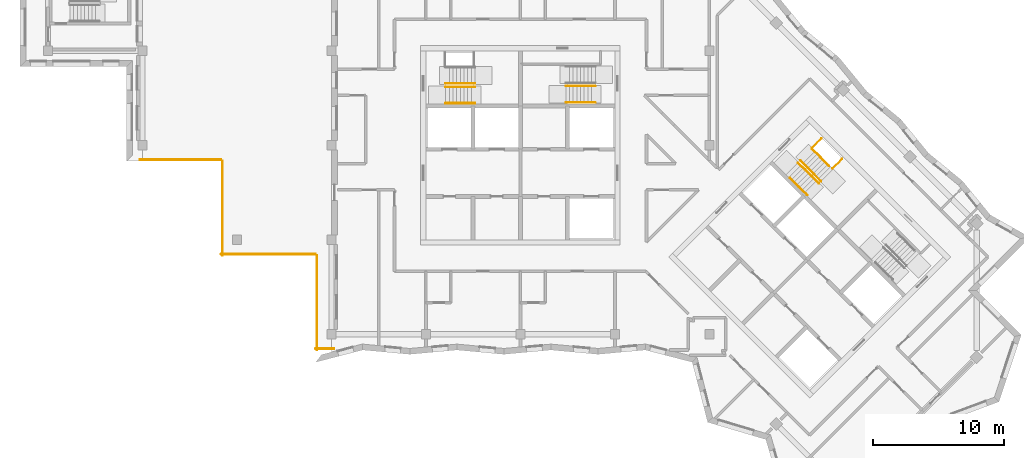
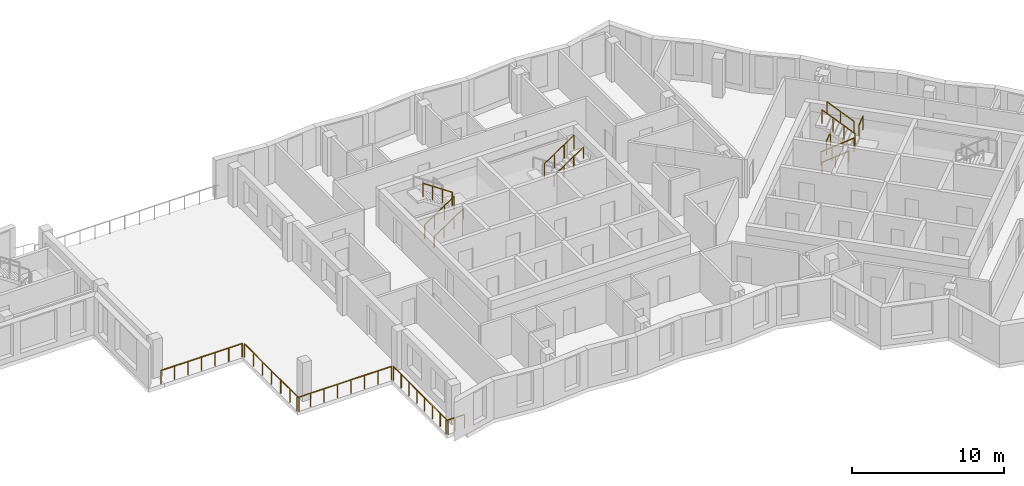
# One storey, part 9 of 12: 16 railings.
"""IFC4 building model written with IfcOpenShell, lengths in metres."""

from ifc_helpers import new_model, si_unit, direction, frame, origin, origin_2d, place, context, subcontext, project, spatial, circle, extrude, material, type_object, element, save


model = new_model("IFC4")

# Units and contexts
model_context = context("Model", 3, precision=1e-05, world=origin(), true_north=direction((0.0, 1.0)))
body_context = subcontext(model_context, "Body", "Model", "MODEL_VIEW")
ifc_project = project(units=[si_unit("LENGTHUNIT", "METRE"), si_unit("AREAUNIT", "SQUARE_METRE"), si_unit("VOLUMEUNIT", "CUBIC_METRE"), si_unit("PLANEANGLEUNIT", "RADIAN"), si_unit("MASSUNIT", "GRAM", prefix="KILO")], contexts=[model_context])

# Site, building, storey
site_placement = place(None, origin())
site = spatial("IfcSite", under=ifc_project, at=site_placement, CompositionType="ELEMENT")
building_placement = place(site_placement, origin())
building = spatial("IfcBuilding", under=site, at=building_placement, Name="Windrow Commons", CompositionType="ELEMENT")
storey_placement = place(building_placement, frame((0.0, 0.0, 247.2)))
storey = spatial("IfcBuildingStorey", under=building, at=storey_placement, Name="L67", CompositionType="ELEMENT", Elevation=247.2)

# Railings
ifc_material_1 = material(Name="Steel S355", Category="steel")
railing_type_1 = type_object("IfcRailingType", Name="Core stair guard 1100", PredefinedType="GUARDRAIL", material=ifc_material_1)
railing_1_placement = place(storey_placement, frame((59.1, 62.05, 0.1889)))
element("IfcRailing", 1, at=railing_1_placement, inside=storey, type_object=railing_type_1, Name="L67 ST-A1 stair guard 1", PredefinedType="GUARDRAIL", context=body_context, shape_type="SweptSolid", body=[
    extrude(circle(Radius=0.024, at=origin_2d()), frame((0.0, 0.0, 1.076), z_axis=(0.8290030985, 0.0, 0.5592440099), x_axis=(0.0, 1.0, 0.0)), (0.0, 0.0, 1.0), 2.702),
    extrude(circle(Radius=0.021, at=origin_2d()), origin(), (0.0, 0.0, 1.0), 1.052),
    extrude(circle(Radius=0.021, at=origin_2d()), frame((0.7467, 0.0, 0.5037)), (0.0, 0.0, 1.0), 1.052),
    extrude(circle(Radius=0.021, at=origin_2d()), frame((1.4933, 0.0, 1.0074)), (0.0, 0.0, 1.0), 1.052),
    extrude(circle(Radius=0.021, at=origin_2d()), frame((2.24, 0.0, 1.5111)), (0.0, 0.0, 1.0), 1.052),
])
railing_2_placement = place(storey_placement, frame((61.34, 62.3, 1.8889)))
element("IfcRailing", 2, at=railing_2_placement, inside=storey, type_object=railing_type_1, Name="L67 ST-A1 stair guard 2", PredefinedType="GUARDRAIL", context=body_context, shape_type="SweptSolid", body=[
    extrude(circle(Radius=0.024, at=origin_2d()), frame((0.0, 0.0, 1.076), z_axis=(-0.8290030985, 0.0, 0.5592440099), x_axis=(0.0, -1.0, 0.0)), (0.0, 0.0, 1.0), 2.702),
    extrude(circle(Radius=0.021, at=origin_2d()), origin(), (0.0, 0.0, 1.0), 1.052),
    extrude(circle(Radius=0.021, at=origin_2d()), frame((-0.7467, 0.0, 0.5037)), (0.0, 0.0, 1.0), 1.052),
    extrude(circle(Radius=0.021, at=origin_2d()), frame((-1.4933, 0.0, 1.0074)), (0.0, 0.0, 1.0), 1.052),
    extrude(circle(Radius=0.021, at=origin_2d()), frame((-2.24, 0.0, 1.5111)), (0.0, 0.0, 1.0), 1.052),
])
railing_3_placement = place(storey_placement, frame((68.26, 62.105, 1.8889)))
element("IfcRailing", 3, at=railing_3_placement, inside=storey, type_object=railing_type_1, Name="L67 ST-A2 stair guard 2", PredefinedType="GUARDRAIL", context=body_context, shape_type="SweptSolid", body=[
    extrude(circle(Radius=0.024, at=origin_2d()), frame((0.0, 0.0, 1.076), z_axis=(0.8290030985, 0.0, 0.5592440099), x_axis=(0.0, 1.0, 0.0)), (0.0, 0.0, 1.0), 2.702),
    extrude(circle(Radius=0.021, at=origin_2d()), origin(), (0.0, 0.0, 1.0), 1.052),
    extrude(circle(Radius=0.021, at=origin_2d()), frame((0.7467, 0.0, 0.5037)), (0.0, 0.0, 1.0), 1.052),
    extrude(circle(Radius=0.021, at=origin_2d()), frame((1.4933, 0.0, 1.0074)), (0.0, 0.0, 1.0), 1.052),
    extrude(circle(Radius=0.021, at=origin_2d()), frame((2.24, 0.0, 1.5111)), (0.0, 0.0, 1.0), 1.052),
])
railing_4_placement = place(storey_placement, frame((85.9529, 56.2669, 0.1889)))
element("IfcRailing", 4, at=railing_4_placement, inside=storey, type_object=railing_type_1, Name="L67 ST-B1 stair guard 1", PredefinedType="GUARDRAIL", context=body_context, shape_type="SweptSolid", body=[
    extrude(circle(Radius=0.024, at=origin_2d()), frame((0.0, 0.0, 1.076), z_axis=(0.5861914914, -0.5861914914, 0.5592486664), x_axis=(0.7071067812, 0.7071067812, 0.0)), (0.0, 0.0, 1.0), 2.702),
    extrude(circle(Radius=0.021, at=origin_2d()), origin(), (0.0, 0.0, 1.0), 1.052),
    extrude(circle(Radius=0.021, at=origin_2d()), frame((0.528, -0.528, 0.5037)), (0.0, 0.0, 1.0), 1.052),
    extrude(circle(Radius=0.021, at=origin_2d()), frame((1.0559, -1.0559, 1.0074)), (0.0, 0.0, 1.0), 1.052),
    extrude(circle(Radius=0.021, at=origin_2d()), frame((1.5839, -1.5839, 1.5111)), (0.0, 0.0, 1.0), 1.052),
])
railing_5_placement = place(storey_placement, frame((87.7136, 54.8597, 1.8889)))
element("IfcRailing", 5, at=railing_5_placement, inside=storey, type_object=railing_type_1, Name="L67 ST-B1 stair guard 2", PredefinedType="GUARDRAIL", context=body_context, shape_type="SweptSolid", body=[
    extrude(circle(Radius=0.024, at=origin_2d()), frame((0.0, 0.0, 1.076), z_axis=(-0.5862030657, 0.5862030657, 0.5592244018), x_axis=(-0.7071067812, -0.7071067812, 0.0)), (0.0, 0.0, 1.0), 2.7021),
    extrude(circle(Radius=0.021, at=origin_2d()), origin(), (0.0, 0.0, 1.0), 1.052),
    extrude(circle(Radius=0.021, at=origin_2d()), frame((-0.528, 0.528, 0.5037)), (0.0, 0.0, 1.0), 1.052),
    extrude(circle(Radius=0.021, at=origin_2d()), frame((-1.056, 1.056, 1.0074)), (0.0, 0.0, 1.0), 1.052),
    extrude(circle(Radius=0.021, at=origin_2d()), frame((-1.584, 1.584, 1.5111)), (0.0, 0.0, 1.0), 1.052),
])
railing_6_placement = place(storey_placement, frame((87.0135, 57.3982, 0.0)))
element("IfcRailing", 6, at=railing_6_placement, inside=storey, type_object=railing_type_1, Name="L67 ST-B1 stair guard 3", PredefinedType="GUARDRAIL", context=body_context, shape_type="SweptSolid", body=[
    extrude(circle(Radius=0.024, at=origin_2d()), frame((0.0, 0.0, 1.076), z_axis=(0.7070582378, 0.7071553212, 0.0), x_axis=(-0.7071553212, 0.7070582378, 0.0)), (0.0, 0.0, 1.0), 1.03),
    extrude(circle(Radius=0.021, at=origin_2d()), origin(), (0.0, 0.0, 1.0), 1.052),
    extrude(circle(Radius=0.021, at=origin_2d()), frame((0.7283, 0.7284, 0.0)), (0.0, 0.0, 1.0), 1.052),
])
railing_7_placement = place(storey_placement, frame((88.5833, 55.8285, 1.7)))
element("IfcRailing", 7, at=railing_7_placement, inside=storey, type_object=railing_type_1, Name="L67 ST-B1 stair guard 4", PredefinedType="GUARDRAIL", context=body_context, shape_type="SweptSolid", body=[
    extrude(circle(Radius=0.024, at=origin_2d()), frame((0.0, 0.0, 1.076), z_axis=(0.7071067812, 0.7071067812, 0.0), x_axis=(-0.7071067812, 0.7071067812, 0.0)), (0.0, 0.0, 1.0), 1.03),
    extrude(circle(Radius=0.021, at=origin_2d()), origin(), (0.0, 0.0, 1.0), 1.052),
    extrude(circle(Radius=0.021, at=origin_2d()), frame((0.7283, 0.7283, 0.0)), (0.0, 0.0, 1.0), 1.052),
])
ifc_material_2 = material(Name="Steel S355", Category="steel")
railing_type_2 = type_object("IfcRailingType", Name="Core stair handrail 900", PredefinedType="HANDRAIL", material=ifc_material_2)
for number, where, name in (
    (8, (59.1, 60.8, 0.1889), "L67 ST-A1 stair handrail 1"),
    (9, (68.26, 60.855, 1.8889), "L67 ST-A2 stair handrail 2"),
):
    element("IfcRailing", number, at=place(storey_placement, frame(where)), inside=storey, type_object=railing_type_2, Name=name, PredefinedType="HANDRAIL", context=body_context, shape_type="SweptSolid", body=[
        extrude(circle(Radius=0.024, at=origin_2d()), frame((0.0, 0.0, 0.876), z_axis=(0.8290030985, 0.0, 0.5592440099), x_axis=(0.0, 1.0, 0.0)), (0.0, 0.0, 1.0), 2.702),
        extrude(circle(Radius=0.021, at=origin_2d()), origin(), (0.0, 0.0, 1.0), 0.852),
        extrude(circle(Radius=0.021, at=origin_2d()), frame((0.7467, 0.0, 0.5037)), (0.0, 0.0, 1.0), 0.852),
        extrude(circle(Radius=0.021, at=origin_2d()), frame((1.4933, 0.0, 1.0074)), (0.0, 0.0, 1.0), 0.852),
        extrude(circle(Radius=0.021, at=origin_2d()), frame((2.24, 0.0, 1.5111)), (0.0, 0.0, 1.0), 0.852),
    ])
railing_8_placement = place(storey_placement, frame((85.3518, 55.1001, 0.4587)))
element("IfcRailing", 10, at=railing_8_placement, inside=storey, type_object=railing_type_2, Name="L67 ST-B1 stair handrail 1", PredefinedType="HANDRAIL", context=body_context, shape_type="SweptSolid", body=[
    extrude(circle(Radius=0.024, at=origin_2d()), frame((0.0, 0.0, 0.876), z_axis=(0.586206706, -0.5861616513, 0.5592639952), x_axis=(0.7070796062, 0.7071339551, 0.0)), (0.0, 0.0, 1.0), 2.2195),
    extrude(circle(Radius=0.021, at=origin_2d()), origin(), (0.0, 0.0, 1.0), 0.852),
    extrude(circle(Radius=0.021, at=origin_2d()), frame((0.6506, -0.6505, 0.6206)), (0.0, 0.0, 1.0), 0.852),
    extrude(circle(Radius=0.021, at=origin_2d()), frame((1.3011, -1.301, 1.2413)), (0.0, 0.0, 1.0), 0.852),
])
railing_9_placement = place(storey_placement, frame((88.3146, 56.0265, 2.1587)))
element("IfcRailing", 11, at=railing_9_placement, inside=storey, type_object=railing_type_2, Name="L67 ST-B1 stair handrail 2", PredefinedType="HANDRAIL", context=body_context, shape_type="SweptSolid", body=[
    extrude(circle(Radius=0.024, at=origin_2d()), frame((0.0, 0.0, 0.876), z_axis=(-0.586206706, 0.5861616513, 0.5592639952), x_axis=(-0.7070796062, -0.7071339551, 0.0)), (0.0, 0.0, 1.0), 2.2195),
    extrude(circle(Radius=0.021, at=origin_2d()), origin(), (0.0, 0.0, 1.0), 0.852),
    extrude(circle(Radius=0.021, at=origin_2d()), frame((-0.6506, 0.6505, 0.6206)), (0.0, 0.0, 1.0), 0.852),
    extrude(circle(Radius=0.021, at=origin_2d()), frame((-1.3011, 1.301, 1.2413)), (0.0, 0.0, 1.0), 0.852),
])
ifc_material_3 = material(Name="Stainless steel S316 balustrade with toughened glass infill", Category="steel")
railing_type_3 = type_object("IfcRailingType", Name="Terrace guard 1100", PredefinedType="BALUSTRADE", material=ifc_material_3)
railing_10_placement = place(storey_placement, frame((35.8, 56.5, 0.0)))
element("IfcRailing", 12, at=railing_10_placement, inside=storey, type_object=railing_type_3, Name="Portal floor guard 2", PredefinedType="BALUSTRADE", context=body_context, shape_type="SweptSolid", body=[
    extrude(circle(Radius=0.025, at=origin_2d()), frame((0.0, 0.0, 1.075), z_axis=(1.0, 0.0, 0.0), x_axis=(0.0, 1.0, 0.0)), (0.0, 0.0, 1.0), 6.2),
    extrude(circle(Radius=0.02, at=origin_2d()), origin(), (0.0, 0.0, 1.0), 1.05),
    extrude(circle(Radius=0.02, at=origin_2d()), frame((1.0333, 0.0, 0.0)), (0.0, 0.0, 1.0), 1.05),
    extrude(circle(Radius=0.02, at=origin_2d()), frame((2.0667, 0.0, 0.0)), (0.0, 0.0, 1.0), 1.05),
    extrude(circle(Radius=0.02, at=origin_2d()), frame((3.1, 0.0, 0.0)), (0.0, 0.0, 1.0), 1.05),
    extrude(circle(Radius=0.02, at=origin_2d()), frame((4.1333, 0.0, 0.0)), (0.0, 0.0, 1.0), 1.05),
    extrude(circle(Radius=0.02, at=origin_2d()), frame((5.1667, 0.0, 0.0)), (0.0, 0.0, 1.0), 1.05),
    extrude(circle(Radius=0.02, at=origin_2d()), frame((6.2, 0.0, 0.0)), (0.0, 0.0, 1.0), 1.05),
])
railing_11_placement = place(storey_placement, frame((42.1, 56.4, 0.0)))
element("IfcRailing", 13, at=railing_11_placement, inside=storey, type_object=railing_type_3, Name="Portal floor guard 3", PredefinedType="BALUSTRADE", context=body_context, shape_type="SweptSolid", body=[
    extrude(circle(Radius=0.025, at=origin_2d()), frame((0.0, 0.0, 1.075), z_axis=(0.0, -1.0, 0.0), x_axis=(1.0, 0.0, 0.0)), (0.0, 0.0, 1.0), 7.2),
    extrude(circle(Radius=0.02, at=origin_2d()), origin(), (0.0, 0.0, 1.0), 1.05),
    extrude(circle(Radius=0.02, at=origin_2d()), frame((0.0, -1.2, 0.0)), (0.0, 0.0, 1.0), 1.05),
    extrude(circle(Radius=0.02, at=origin_2d()), frame((0.0, -2.4, 0.0)), (0.0, 0.0, 1.0), 1.05),
    extrude(circle(Radius=0.02, at=origin_2d()), frame((0.0, -3.6, 0.0)), (0.0, 0.0, 1.0), 1.05),
    extrude(circle(Radius=0.02, at=origin_2d()), frame((0.0, -4.8, 0.0)), (0.0, 0.0, 1.0), 1.05),
    extrude(circle(Radius=0.02, at=origin_2d()), frame((0.0, -6.0, 0.0)), (0.0, 0.0, 1.0), 1.05),
    extrude(circle(Radius=0.02, at=origin_2d()), frame((0.0, -7.2, 0.0)), (0.0, 0.0, 1.0), 1.05),
])
railing_12_placement = place(storey_placement, frame((42.0, 49.3, 0.0)))
element("IfcRailing", 14, at=railing_12_placement, inside=storey, type_object=railing_type_3, Name="Portal floor guard 4", PredefinedType="BALUSTRADE", context=body_context, shape_type="SweptSolid", body=[
    extrude(circle(Radius=0.025, at=origin_2d()), frame((0.0, 0.0, 1.075), z_axis=(1.0, 0.0, 0.0), x_axis=(0.0, 1.0, 0.0)), (0.0, 0.0, 1.0), 7.2),
    extrude(circle(Radius=0.02, at=origin_2d()), origin(), (0.0, 0.0, 1.0), 1.05),
    extrude(circle(Radius=0.02, at=origin_2d()), frame((1.0286, 0.0, 0.0)), (0.0, 0.0, 1.0), 1.05),
    extrude(circle(Radius=0.02, at=origin_2d()), frame((2.0571, 0.0, 0.0)), (0.0, 0.0, 1.0), 1.05),
    extrude(circle(Radius=0.02, at=origin_2d()), frame((3.0857, 0.0, 0.0)), (0.0, 0.0, 1.0), 1.05),
    extrude(circle(Radius=0.02, at=origin_2d()), frame((4.1143, 0.0, 0.0)), (0.0, 0.0, 1.0), 1.05),
    extrude(circle(Radius=0.02, at=origin_2d()), frame((5.1429, 0.0, 0.0)), (0.0, 0.0, 1.0), 1.05),
    extrude(circle(Radius=0.02, at=origin_2d()), frame((6.1714, 0.0, 0.0)), (0.0, 0.0, 1.0), 1.05),
    extrude(circle(Radius=0.02, at=origin_2d()), frame((7.2, 0.0, 0.0)), (0.0, 0.0, 1.0), 1.05),
])
railing_13_placement = place(storey_placement, frame((49.3, 49.2, 0.0)))
element("IfcRailing", 15, at=railing_13_placement, inside=storey, type_object=railing_type_3, Name="Portal floor guard 5", PredefinedType="BALUSTRADE", context=body_context, shape_type="SweptSolid", body=[
    extrude(circle(Radius=0.025, at=origin_2d()), frame((0.0, 0.0, 1.075), z_axis=(0.0, -1.0, 0.0), x_axis=(1.0, 0.0, 0.0)), (0.0, 0.0, 1.0), 7.2),
    extrude(circle(Radius=0.02, at=origin_2d()), origin(), (0.0, 0.0, 1.0), 1.05),
    extrude(circle(Radius=0.02, at=origin_2d()), frame((0.0, -1.0286, 0.0)), (0.0, 0.0, 1.0), 1.05),
    extrude(circle(Radius=0.02, at=origin_2d()), frame((0.0, -2.0571, 0.0)), (0.0, 0.0, 1.0), 1.05),
    extrude(circle(Radius=0.02, at=origin_2d()), frame((0.0, -3.0857, 0.0)), (0.0, 0.0, 1.0), 1.05),
    extrude(circle(Radius=0.02, at=origin_2d()), frame((0.0, -4.1143, 0.0)), (0.0, 0.0, 1.0), 1.05),
    extrude(circle(Radius=0.02, at=origin_2d()), frame((0.0, -5.1429, 0.0)), (0.0, 0.0, 1.0), 1.05),
    extrude(circle(Radius=0.02, at=origin_2d()), frame((0.0, -6.1714, 0.0)), (0.0, 0.0, 1.0), 1.05),
    extrude(circle(Radius=0.02, at=origin_2d()), frame((0.0, -7.2, 0.0)), (0.0, 0.0, 1.0), 1.05),
])
railing_14_placement = place(storey_placement, frame((49.2, 42.1, 0.0)))
element("IfcRailing", 16, at=railing_14_placement, inside=storey, type_object=railing_type_3, Name="Portal floor guard 6", PredefinedType="BALUSTRADE", context=body_context, shape_type="SweptSolid", body=[
    extrude(circle(Radius=0.025, at=origin_2d()), frame((0.0, 0.0, 1.075), z_axis=(1.0, 0.0, 0.0), x_axis=(0.0, 1.0, 0.0)), (0.0, 0.0, 1.0), 1.4),
    extrude(circle(Radius=0.02, at=origin_2d()), origin(), (0.0, 0.0, 1.0), 1.05),
    extrude(circle(Radius=0.02, at=origin_2d()), frame((0.7, 0.0, 0.0)), (0.0, 0.0, 1.0), 1.05),
    extrude(circle(Radius=0.02, at=origin_2d()), frame((1.4, 0.0, 0.0)), (0.0, 0.0, 1.0), 1.05),
])

save(model, "model.ifc")
